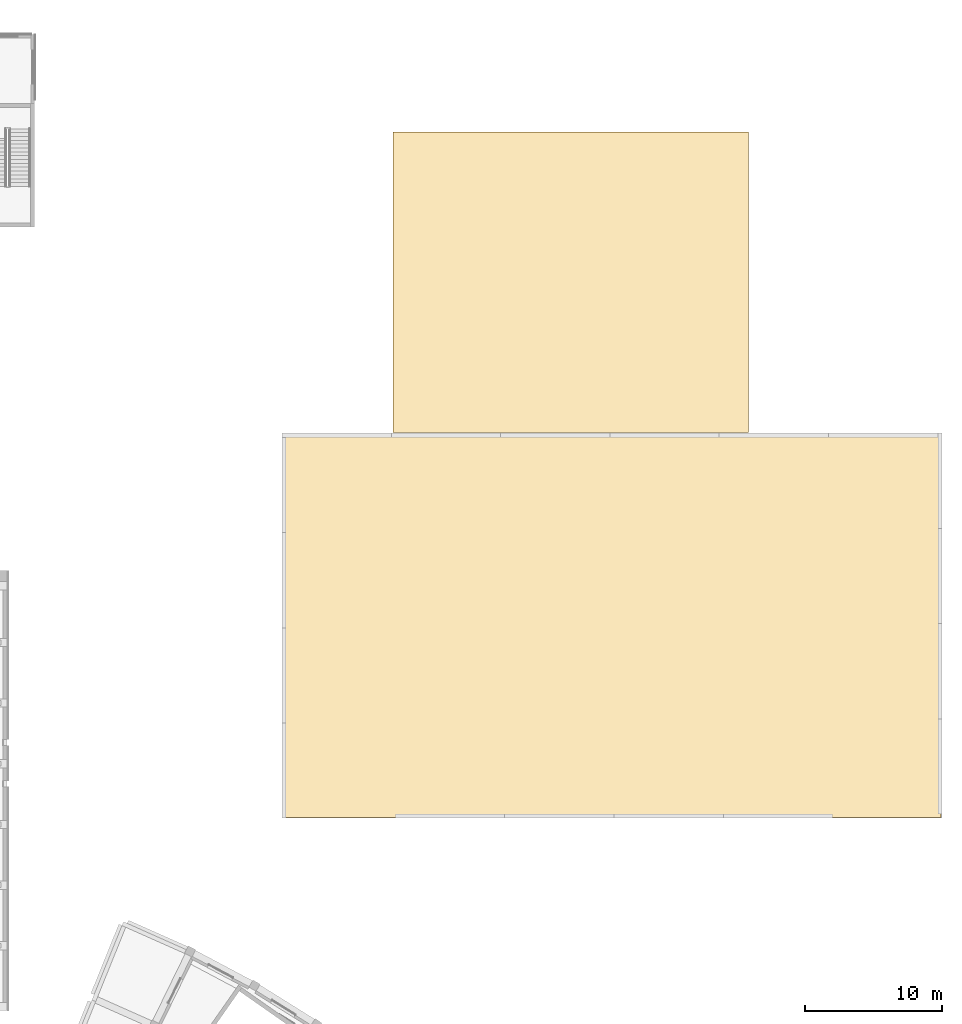
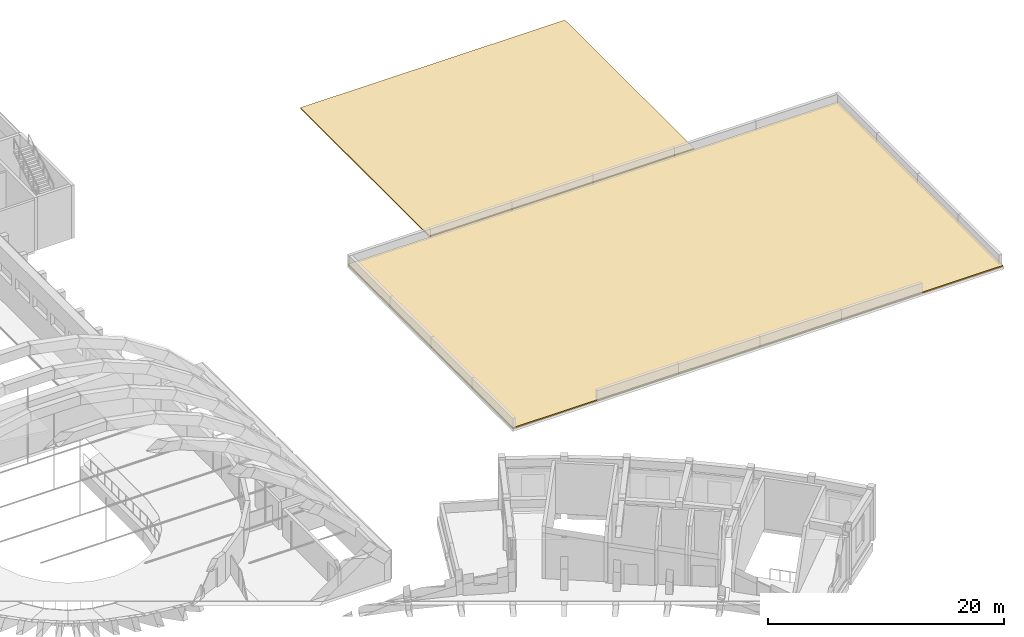
# One storey, part 93 of 94: 2 coverings.
"""IFC4 building model written with IfcOpenShell, lengths in metres."""

from ifc_helpers import new_model, si_unit, direction, frame, origin, place, context, subcontext, project, spatial, polyline, outline, extrude, material, layer, layer_set, type_object, element, save


model = new_model("IFC4")

# Units and contexts
model_context = context("Model", 3, precision=1e-05, world=origin(), true_north=direction((0.0, 1.0)))
body_context = subcontext(model_context, "Body", "Model", "MODEL_VIEW")
ifc_project = project(units=[si_unit("LENGTHUNIT", "METRE"), si_unit("AREAUNIT", "SQUARE_METRE"), si_unit("VOLUMEUNIT", "CUBIC_METRE"), si_unit("PLANEANGLEUNIT", "RADIAN"), si_unit("MASSUNIT", "GRAM", prefix="KILO")], contexts=[model_context])

# Site, building, storey
site_placement = place(None, origin())
site = spatial("IfcSite", under=ifc_project, at=site_placement, CompositionType="ELEMENT")
building_placement = place(site_placement, origin())
building = spatial("IfcBuilding", under=site, at=building_placement, Name="Lunette Opera House", CompositionType="ELEMENT")
storey_placement = place(building_placement, frame((0.0, 0.0, 22.5)))
storey = spatial("IfcBuildingStorey", under=building, at=storey_placement, Name="L04", CompositionType="ELEMENT", Elevation=22.5)

# Coverings
ifc_material = material(Name="Bitumen membrane on mineral wool")
ifc_layer = layer(ifc_material, 0.1201171875)
ifc_layer_set = layer_set([ifc_layer], Name="Bitumen membrane on mineral wool")
covering_type = type_object("IfcCoveringType", Name="FLAT ROOF MEMBRANE 120", PredefinedType="ROOFING", material=ifc_layer_set)
covering_1_placement = place(storey_placement, origin())
element("IfcCovering", 1, at=covering_1_placement, inside=storey, type_object=covering_type, Name="Flat roof membrane WW L00 11", PredefinedType="ROOFING", context=body_context, shape_type="SweptSolid", body=[
    extrude(outline(polyline([(169.929931640625, 106.070068359375), (144.070068359375, 106.070068359375), (144.070068359375, 127.929931640625), (169.929931640625, 127.929931640625), (169.929931640625, 106.070068359375)])), origin(), (0.0, 0.0, 1.0), 0.1201171875),
])
covering_2_placement = place(storey_placement, origin())
element("IfcCovering", 2, at=covering_2_placement, inside=storey, type_object=covering_type, Name="Flat roof membrane WW L03 11", PredefinedType="ROOFING", context=body_context, shape_type="SweptSolid", body=[
    extrude(outline(polyline([(183.949951171875, 78.050048828125), (136.050048828125, 78.050048828125), (136.050048828125, 105.949951171875), (183.949951171875, 105.949951171875), (183.949951171875, 78.050048828125)])), origin(), (0.0, 0.0, 1.0), 0.1201171875),
])

save(model, "model.ifc")
